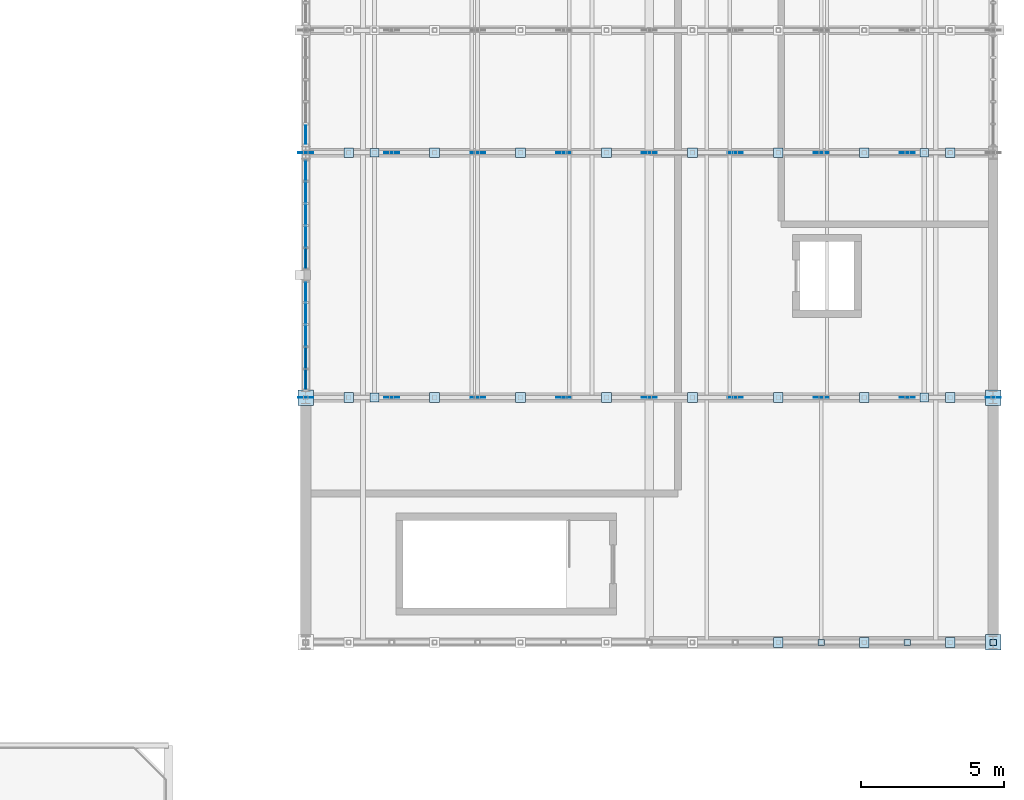
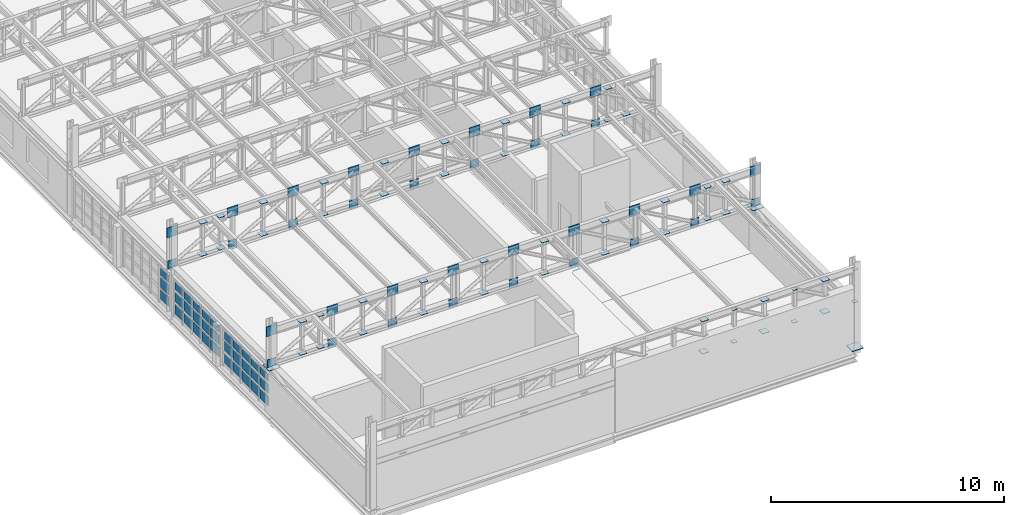
# One storey, part 105 of 128: 121 plates, 3 elements without a shape of their own.
"""IFC4 building model written with IfcOpenShell, lengths in metres."""

from ifc_helpers import new_model, si_unit, direction, frame, origin, origin_2d, place, context, subcontext, project, spatial, rectangle, extrude, material, layer, layer_set, type_object, element, aggregate, save


model = new_model("IFC4")

# Units and contexts
model_context = context("Model", 3, precision=1e-05, world=origin(), true_north=direction((0.0, 1.0)))
body_context = subcontext(model_context, "Body", "Model", "MODEL_VIEW")
ifc_project = project(units=[si_unit("LENGTHUNIT", "METRE"), si_unit("AREAUNIT", "SQUARE_METRE"), si_unit("VOLUMEUNIT", "CUBIC_METRE"), si_unit("PLANEANGLEUNIT", "RADIAN"), si_unit("MASSUNIT", "GRAM", prefix="KILO")], contexts=[model_context])

# Site, building, storey
site_placement = place(None, origin())
site = spatial("IfcSite", under=ifc_project, at=site_placement, CompositionType="ELEMENT")
building_placement = place(site_placement, origin())
building = spatial("IfcBuilding", under=site, at=building_placement, Name="Serraforn Aerial Cableway Station", CompositionType="ELEMENT")
storey_placement = place(building_placement, frame((0.0, 0.0, 9.0)))
storey = spatial("IfcBuildingStorey", under=building, at=storey_placement, Name="L02", CompositionType="ELEMENT", Elevation=9.0)

# Curtain wall, plates
ifc_material_1 = material(Name="Anodised bronze unitised curtain wall")
curtain_wall_type_1 = type_object("IfcCurtainWallType", Name="CW-SYS-23", PredefinedType="USERDEFINED", material=ifc_material_1)
curtain_wall_1_placement = place(storey_placement, origin())
curtain_wall_1 = element("IfcCurtainWall", 1, at=curtain_wall_1_placement, inside=storey, type_object=curtain_wall_type_1, Name="Unitised Curtain Wall CW-EG-L02-W2A", ObjectType="UNITISED CURTAIN WALL", PredefinedType="USERDEFINED")
ifc_material_2 = material(Name="Solar-control low-E double glazing", Category="glass")
ifc_layer_1 = layer(ifc_material_2, 0.02587890625)
ifc_layer_set_1 = layer_set([ifc_layer_1], Name="Solar-control low-E double glazing")
plate_type_1 = type_object("IfcPlateType", Name="CW-GLZ-1", PredefinedType="CURTAIN_PANEL", material=ifc_layer_set_1)
plate_1_placement = place(storey_placement, frame((144.0, 62.075927734375, 0.7939453125), z_axis=(0.0, 0.0, 1.0), x_axis=(1.0, 0.0, 0.0)))
plate_1 = element("IfcPlate", 2, at=plate_1_placement, type_object=plate_type_1, Name="Curtain Wall Panel CW-EG-L02-W2A-P1-2", PredefinedType="CURTAIN_PANEL", context=body_context, shape_type="SweptSolid", body=[
    extrude(rectangle(XDim=0.02587890625, YDim=0.685791015625, at=origin_2d()), origin(), (0.0, 0.0, 1.0), 0.482421875),
])
plate_2_placement = place(storey_placement, frame((144.0, 61.316650390625, 0.15771484375), z_axis=(0.0, 0.0, 1.0), x_axis=(1.0, 0.0, 0.0)))
plate_2 = element("IfcPlate", 3, at=plate_2_placement, type_object=plate_type_1, Name="Curtain Wall Panel CW-EG-L02-W2A-P2-1", PredefinedType="CURTAIN_PANEL", context=body_context, shape_type="SweptSolid", body=[
    extrude(rectangle(XDim=0.02587890625, YDim=0.7109375, at=origin_2d()), origin(), (0.0, 0.0, 1.0), 0.482421875),
])

# Curtain wall, plate
curtain_wall_type_2 = type_object("IfcCurtainWallType", Name="CW-SYS-24", PredefinedType="USERDEFINED", material=ifc_material_1)
curtain_wall_2_placement = place(storey_placement, origin())
curtain_wall_2 = element("IfcCurtainWall", 4, at=curtain_wall_2_placement, inside=storey, type_object=curtain_wall_type_2, Name="Unitised Curtain Wall CW-EG-L02-W2B", ObjectType="UNITISED CURTAIN WALL", PredefinedType="USERDEFINED")
plate_3_placement = place(storey_placement, frame((144.0, 57.8427734375, 0.15771484375), z_axis=(0.0, 0.0, 1.0), x_axis=(1.0, 0.0, 0.0)))
plate_3 = element("IfcPlate", 5, at=plate_3_placement, type_object=plate_type_1, Name="Curtain Wall Panel CW-EG-L02-W2B-P1-1", PredefinedType="CURTAIN_PANEL", context=body_context, shape_type="SweptSolid", body=[
    extrude(rectangle(XDim=0.02587890625, YDim=0.678466796875, at=origin_2d()), origin(), (0.0, 0.0, 1.0), 0.482421875),
])

curtain_wall_type_3 = type_object("IfcCurtainWallType", Name="CW-SYS-26", PredefinedType="USERDEFINED", material=ifc_material_1)
curtain_wall_3_placement = place(storey_placement, origin())
curtain_wall_3 = element("IfcCurtainWall", 6, at=curtain_wall_3_placement, inside=storey, type_object=curtain_wall_type_3, Name="Unitised Curtain Wall CW-EG-L02-W3B", ObjectType="UNITISED CURTAIN WALL", PredefinedType="USERDEFINED")
plate_4_placement = place(storey_placement, frame((144.0, 63.330078125, 1.414794921875), z_axis=(0.0, 0.0, 1.0), x_axis=(1.0, 0.0, 0.0)))
plate_4 = element("IfcPlate", 7, at=plate_4_placement, type_object=plate_type_1, Name="Curtain Wall Panel CW-EG-L02-W3B-P5-3", PredefinedType="CURTAIN_PANEL", context=body_context, shape_type="SweptSolid", body=[
    extrude(rectangle(XDim=0.02587890625, YDim=0.66845703125, at=origin_2d()), origin(), (0.0, 0.0, 1.0), 0.38525390625),
])

# Plate
ifc_layer_2 = layer(ifc_material_2, 0.028076171875)
ifc_layer_set_2 = layer_set([ifc_layer_2], Name="Solar-control low-E double glazing")
plate_type_2 = type_object("IfcPlateType", Name="CW-GLZ-2", PredefinedType="CURTAIN_PANEL", material=ifc_layer_set_2)
plate_5_placement = place(storey_placement, frame((144.0, 62.075927734375, 1.4375), z_axis=(0.0, 0.0, 1.0), x_axis=(1.0, 0.0, 0.0)))
plate_5 = element("IfcPlate", 8, at=plate_5_placement, type_object=plate_type_2, Name="Curtain Wall Panel CW-EG-L02-W2A-P1-3", PredefinedType="CURTAIN_PANEL", context=body_context, shape_type="SweptSolid", body=[
    extrude(rectangle(XDim=0.028076171875, YDim=0.685791015625, at=origin_2d()), origin(), (0.0, 0.0, 1.0), 0.375244140625),
])

plate_6_placement = place(storey_placement, frame((144.0, 61.316650390625, 0.80126953125), z_axis=(0.0, 0.0, 1.0), x_axis=(1.0, 0.0, 0.0)))
plate_6 = element("IfcPlate", 9, at=plate_6_placement, type_object=plate_type_2, Name="Curtain Wall Panel CW-EG-L02-W2A-P2-2", PredefinedType="CURTAIN_PANEL", context=body_context, shape_type="SweptSolid", body=[
    extrude(rectangle(XDim=0.028076171875, YDim=0.7109375, at=origin_2d()), origin(), (0.0, 0.0, 1.0), 0.50244140625),
])

plate_7_placement = place(storey_placement, frame((144.0, 60.542236328125, 0.165283203125), z_axis=(0.0, 0.0, 1.0), x_axis=(1.0, 0.0, 0.0)))
plate_7 = element("IfcPlate", 10, at=plate_7_placement, type_object=plate_type_2, Name="Curtain Wall Panel CW-EG-L02-W2A-P3-1", PredefinedType="CURTAIN_PANEL", context=body_context, shape_type="SweptSolid", body=[
    extrude(rectangle(XDim=0.028076171875, YDim=0.705810546875, at=origin_2d()), origin(), (0.0, 0.0, 1.0), 0.50244140625),
])

plate_8_placement = place(storey_placement, frame((144.0, 57.8427734375, 0.80126953125), z_axis=(0.0, 0.0, 1.0), x_axis=(1.0, 0.0, 0.0)))
plate_8 = element("IfcPlate", 11, at=plate_8_placement, type_object=plate_type_2, Name="Curtain Wall Panel CW-EG-L02-W2B-P1-2", PredefinedType="CURTAIN_PANEL", context=body_context, shape_type="SweptSolid", body=[
    extrude(rectangle(XDim=0.028076171875, YDim=0.678466796875, at=origin_2d()), origin(), (0.0, 0.0, 1.0), 0.50244140625),
])

plate_9_placement = place(storey_placement, frame((144.0, 57.084716796875, 0.165283203125), z_axis=(0.0, 0.0, 1.0), x_axis=(1.0, 0.0, 0.0)))
plate_9 = element("IfcPlate", 12, at=plate_9_placement, type_object=plate_type_2, Name="Curtain Wall Panel CW-EG-L02-W2B-P2-1", PredefinedType="CURTAIN_PANEL", context=body_context, shape_type="SweptSolid", body=[
    extrude(rectangle(XDim=0.028076171875, YDim=0.705810546875, at=origin_2d()), origin(), (0.0, 0.0, 1.0), 0.50244140625),
])

ifc_layer_3 = layer(ifc_material_2, 0.030029296875)
ifc_layer_set_3 = layer_set([ifc_layer_3], Name="Solar-control low-E double glazing")
plate_type_3 = type_object("IfcPlateType", Name="CW-GLZ-3", PredefinedType="CURTAIN_PANEL", material=ifc_layer_set_3)
plate_10_placement = place(storey_placement, frame((144.0, 61.316650390625, 1.40966796875), z_axis=(0.0, 0.0, 1.0), x_axis=(1.0, 0.0, 0.0)))
plate_10 = element("IfcPlate", 13, at=plate_10_placement, type_object=plate_type_3, Name="Curtain Wall Panel CW-EG-L02-W2A-P2-3", PredefinedType="CURTAIN_PANEL", context=body_context, shape_type="SweptSolid", body=[
    extrude(rectangle(XDim=0.030029296875, YDim=0.7109375, at=origin_2d()), origin(), (0.0, 0.0, 1.0), 0.397705078125),
])

plate_11_placement = place(storey_placement, frame((144.0, 60.542236328125, 0.77392578125), z_axis=(0.0, 0.0, 1.0), x_axis=(1.0, 0.0, 0.0)))
plate_11 = element("IfcPlate", 14, at=plate_11_placement, type_object=plate_type_3, Name="Curtain Wall Panel CW-EG-L02-W2A-P3-2", PredefinedType="CURTAIN_PANEL", context=body_context, shape_type="SweptSolid", body=[
    extrude(rectangle(XDim=0.030029296875, YDim=0.705810546875, at=origin_2d()), origin(), (0.0, 0.0, 1.0), 0.52490234375),
])

plate_12_placement = place(storey_placement, frame((144.0, 59.76171875, 0.137939453125), z_axis=(0.0, 0.0, 1.0), x_axis=(1.0, 0.0, 0.0)))
plate_12 = element("IfcPlate", 15, at=plate_12_placement, type_object=plate_type_3, Name="Curtain Wall Panel CW-EG-L02-W2A-P4-1", PredefinedType="CURTAIN_PANEL", context=body_context, shape_type="SweptSolid", body=[
    extrude(rectangle(XDim=0.030029296875, YDim=0.71337890625, at=origin_2d()), origin(), (0.0, 0.0, 1.0), 0.52490234375),
])

plate_13_placement = place(storey_placement, frame((144.0, 57.8427734375, 1.40966796875), z_axis=(0.0, 0.0, 1.0), x_axis=(1.0, 0.0, 0.0)))
plate_13 = element("IfcPlate", 16, at=plate_13_placement, type_object=plate_type_3, Name="Curtain Wall Panel CW-EG-L02-W2B-P1-3", PredefinedType="CURTAIN_PANEL", context=body_context, shape_type="SweptSolid", body=[
    extrude(rectangle(XDim=0.030029296875, YDim=0.678466796875, at=origin_2d()), origin(), (0.0, 0.0, 1.0), 0.397705078125),
])

plate_14_placement = place(storey_placement, frame((144.0, 57.084716796875, 0.77392578125), z_axis=(0.0, 0.0, 1.0), x_axis=(1.0, 0.0, 0.0)))
plate_14 = element("IfcPlate", 17, at=plate_14_placement, type_object=plate_type_3, Name="Curtain Wall Panel CW-EG-L02-W2B-P2-2", PredefinedType="CURTAIN_PANEL", context=body_context, shape_type="SweptSolid", body=[
    extrude(rectangle(XDim=0.030029296875, YDim=0.705810546875, at=origin_2d()), origin(), (0.0, 0.0, 1.0), 0.52490234375),
])

plate_15_placement = place(storey_placement, frame((144.0, 56.303955078125, 0.137939453125), z_axis=(0.0, 0.0, 1.0), x_axis=(1.0, 0.0, 0.0)))
plate_15 = element("IfcPlate", 18, at=plate_15_placement, type_object=plate_type_3, Name="Curtain Wall Panel CW-EG-L02-W2B-P3-1", PredefinedType="CURTAIN_PANEL", context=body_context, shape_type="SweptSolid", body=[
    extrude(rectangle(XDim=0.030029296875, YDim=0.71337890625, at=origin_2d()), origin(), (0.0, 0.0, 1.0), 0.52490234375),
])

ifc_layer_4 = layer(ifc_material_2, 0.031982421875)
ifc_layer_set_4 = layer_set([ifc_layer_4], Name="Solar-control low-E double glazing")
plate_type_4 = type_object("IfcPlateType", Name="CW-GLZ-4", PredefinedType="CURTAIN_PANEL", material=ifc_layer_set_4)
plate_16_placement = place(storey_placement, frame((144.0, 60.542236328125, 1.414794921875), z_axis=(0.0, 0.0, 1.0), x_axis=(1.0, 0.0, 0.0)))
plate_16 = element("IfcPlate", 19, at=plate_16_placement, type_object=plate_type_4, Name="Curtain Wall Panel CW-EG-L02-W2A-P3-3", PredefinedType="CURTAIN_PANEL", context=body_context, shape_type="SweptSolid", body=[
    extrude(rectangle(XDim=0.031982421875, YDim=0.705810546875, at=origin_2d()), origin(), (0.0, 0.0, 1.0), 0.38525390625),
])

plate_17_placement = place(storey_placement, frame((144.0, 59.76171875, 0.77880859375), z_axis=(0.0, 0.0, 1.0), x_axis=(1.0, 0.0, 0.0)))
plate_17 = element("IfcPlate", 20, at=plate_17_placement, type_object=plate_type_4, Name="Curtain Wall Panel CW-EG-L02-W2A-P4-2", PredefinedType="CURTAIN_PANEL", context=body_context, shape_type="SweptSolid", body=[
    extrude(rectangle(XDim=0.031982421875, YDim=0.71337890625, at=origin_2d()), origin(), (0.0, 0.0, 1.0), 0.512451171875),
])

plate_18_placement = place(storey_placement, frame((144.0, 59.00830078125, 0.142578125), z_axis=(0.0, 0.0, 1.0), x_axis=(1.0, 0.0, 0.0)))
plate_18 = element("IfcPlate", 21, at=plate_18_placement, type_object=plate_type_4, Name="Curtain Wall Panel CW-EG-L02-W2A-P5-1", PredefinedType="CURTAIN_PANEL", context=body_context, shape_type="SweptSolid", body=[
    extrude(rectangle(XDim=0.031982421875, YDim=0.69091796875, at=origin_2d()), origin(), (0.0, 0.0, 1.0), 0.512451171875),
])

plate_19_placement = place(storey_placement, frame((144.0, 57.084716796875, 1.414794921875), z_axis=(0.0, 0.0, 1.0), x_axis=(1.0, 0.0, 0.0)))
plate_19 = element("IfcPlate", 22, at=plate_19_placement, type_object=plate_type_4, Name="Curtain Wall Panel CW-EG-L02-W2B-P2-3", PredefinedType="CURTAIN_PANEL", context=body_context, shape_type="SweptSolid", body=[
    extrude(rectangle(XDim=0.031982421875, YDim=0.705810546875, at=origin_2d()), origin(), (0.0, 0.0, 1.0), 0.38525390625),
])

plate_20_placement = place(storey_placement, frame((144.0, 56.303955078125, 0.77880859375), z_axis=(0.0, 0.0, 1.0), x_axis=(1.0, 0.0, 0.0)))
plate_20 = element("IfcPlate", 23, at=plate_20_placement, type_object=plate_type_4, Name="Curtain Wall Panel CW-EG-L02-W2B-P3-2", PredefinedType="CURTAIN_PANEL", context=body_context, shape_type="SweptSolid", body=[
    extrude(rectangle(XDim=0.031982421875, YDim=0.71337890625, at=origin_2d()), origin(), (0.0, 0.0, 1.0), 0.512451171875),
])

plate_21_placement = place(storey_placement, frame((144.0, 55.535888671875, 0.142578125), z_axis=(0.0, 0.0, 1.0), x_axis=(1.0, 0.0, 0.0)))
plate_21 = element("IfcPlate", 24, at=plate_21_placement, type_object=plate_type_4, Name="Curtain Wall Panel CW-EG-L02-W2B-P4-1", PredefinedType="CURTAIN_PANEL", context=body_context, shape_type="SweptSolid", body=[
    extrude(rectangle(XDim=0.031982421875, YDim=0.720947265625, at=origin_2d()), origin(), (0.0, 0.0, 1.0), 0.512451171875),
])

ifc_layer_5 = layer(ifc_material_2, 0.033935546875)
ifc_layer_set_5 = layer_set([ifc_layer_5], Name="Solar-control low-E double glazing")
plate_type_5 = type_object("IfcPlateType", Name="CW-GLZ-5", PredefinedType="CURTAIN_PANEL", material=ifc_layer_set_5)
plate_22_placement = place(storey_placement, frame((144.0, 59.76171875, 1.42236328125), z_axis=(0.0, 0.0, 1.0), x_axis=(1.0, 0.0, 0.0)))
plate_22 = element("IfcPlate", 25, at=plate_22_placement, type_object=plate_type_5, Name="Curtain Wall Panel CW-EG-L02-W2A-P4-3", PredefinedType="CURTAIN_PANEL", context=body_context, shape_type="SweptSolid", body=[
    extrude(rectangle(XDim=0.033935546875, YDim=0.71337890625, at=origin_2d()), origin(), (0.0, 0.0, 1.0), 0.370361328125),
])

plate_23_placement = place(storey_placement, frame((144.0, 59.00830078125, 0.786376953125), z_axis=(0.0, 0.0, 1.0), x_axis=(1.0, 0.0, 0.0)))
plate_23 = element("IfcPlate", 26, at=plate_23_placement, type_object=plate_type_5, Name="Curtain Wall Panel CW-EG-L02-W2A-P5-2", PredefinedType="CURTAIN_PANEL", context=body_context, shape_type="SweptSolid", body=[
    extrude(rectangle(XDim=0.033935546875, YDim=0.69091796875, at=origin_2d()), origin(), (0.0, 0.0, 1.0), 0.49755859375),
])

plate_24_placement = place(storey_placement, frame((144.0, 56.303955078125, 1.42236328125), z_axis=(0.0, 0.0, 1.0), x_axis=(1.0, 0.0, 0.0)))
plate_24 = element("IfcPlate", 27, at=plate_24_placement, type_object=plate_type_5, Name="Curtain Wall Panel CW-EG-L02-W2B-P3-3", PredefinedType="CURTAIN_PANEL", context=body_context, shape_type="SweptSolid", body=[
    extrude(rectangle(XDim=0.033935546875, YDim=0.71337890625, at=origin_2d()), origin(), (0.0, 0.0, 1.0), 0.370361328125),
])

plate_25_placement = place(storey_placement, frame((144.0, 55.535888671875, 0.786376953125), z_axis=(0.0, 0.0, 1.0), x_axis=(1.0, 0.0, 0.0)))
plate_25 = element("IfcPlate", 28, at=plate_25_placement, type_object=plate_type_5, Name="Curtain Wall Panel CW-EG-L02-W2B-P4-2", PredefinedType="CURTAIN_PANEL", context=body_context, shape_type="SweptSolid", body=[
    extrude(rectangle(XDim=0.033935546875, YDim=0.720947265625, at=origin_2d()), origin(), (0.0, 0.0, 1.0), 0.49755859375),
])

plate_26_placement = place(storey_placement, frame((144.0, 54.777587890625, 0.150390625), z_axis=(0.0, 0.0, 1.0), x_axis=(1.0, 0.0, 0.0)))
plate_26 = element("IfcPlate", 29, at=plate_26_placement, type_object=plate_type_5, Name="Curtain Wall Panel CW-EG-L02-W2B-P5-1", PredefinedType="CURTAIN_PANEL", context=body_context, shape_type="SweptSolid", body=[
    extrude(rectangle(XDim=0.033935546875, YDim=0.683349609375, at=origin_2d()), origin(), (0.0, 0.0, 1.0), 0.49755859375),
])

ifc_layer_6 = layer(ifc_material_2, 0.035888671875)
ifc_layer_set_6 = layer_set([ifc_layer_6], Name="Solar-control low-E double glazing")
plate_type_6 = type_object("IfcPlateType", Name="CW-GLZ-6", PredefinedType="CURTAIN_PANEL", material=ifc_layer_set_6)
plate_27_placement = place(storey_placement, frame((144.0, 59.00830078125, 1.4296875), z_axis=(0.0, 0.0, 1.0), x_axis=(1.0, 0.0, 0.0)))
plate_27 = element("IfcPlate", 30, at=plate_27_placement, type_object=plate_type_6, Name="Curtain Wall Panel CW-EG-L02-W2A-P5-3", PredefinedType="CURTAIN_PANEL", context=body_context, shape_type="SweptSolid", body=[
    extrude(rectangle(XDim=0.035888671875, YDim=0.69091796875, at=origin_2d()), origin(), (0.0, 0.0, 1.0), 0.355224609375),
])

plate_28_placement = place(storey_placement, frame((144.0, 55.535888671875, 1.4296875), z_axis=(0.0, 0.0, 1.0), x_axis=(1.0, 0.0, 0.0)))
plate_28 = element("IfcPlate", 31, at=plate_28_placement, type_object=plate_type_6, Name="Curtain Wall Panel CW-EG-L02-W2B-P4-3", PredefinedType="CURTAIN_PANEL", context=body_context, shape_type="SweptSolid", body=[
    extrude(rectangle(XDim=0.035888671875, YDim=0.720947265625, at=origin_2d()), origin(), (0.0, 0.0, 1.0), 0.355224609375),
])

plate_29_placement = place(storey_placement, frame((144.0, 54.777587890625, 0.7939453125), z_axis=(0.0, 0.0, 1.0), x_axis=(1.0, 0.0, 0.0)))
plate_29 = element("IfcPlate", 32, at=plate_29_placement, type_object=plate_type_6, Name="Curtain Wall Panel CW-EG-L02-W2B-P5-2", PredefinedType="CURTAIN_PANEL", context=body_context, shape_type="SweptSolid", body=[
    extrude(rectangle(XDim=0.035888671875, YDim=0.683349609375, at=origin_2d()), origin(), (0.0, 0.0, 1.0), 0.482421875),
])

ifc_layer_7 = layer(ifc_material_2, 0.029052734375)
ifc_layer_set_7 = layer_set([ifc_layer_7], Name="Solar-control low-E double glazing")
plate_type_7 = type_object("IfcPlateType", Name="CW-GLZ-7", PredefinedType="CURTAIN_PANEL", material=ifc_layer_set_7)
plate_30_placement = place(storey_placement, frame((144.0, 54.777587890625, 1.4375), z_axis=(0.0, 0.0, 1.0), x_axis=(1.0, 0.0, 0.0)))
plate_30 = element("IfcPlate", 33, at=plate_30_placement, type_object=plate_type_7, Name="Curtain Wall Panel CW-EG-L02-W2B-P5-3", PredefinedType="CURTAIN_PANEL", context=body_context, shape_type="SweptSolid", body=[
    extrude(rectangle(XDim=0.029052734375, YDim=0.683349609375, at=origin_2d()), origin(), (0.0, 0.0, 1.0), 0.375244140625),
])

aggregate(curtain_wall_2, [plate_3, plate_8, plate_13, plate_9, plate_14, plate_19, plate_15, plate_20, plate_24, plate_21, plate_25, plate_28, plate_26, plate_29, plate_30])

plate_31_placement = place(storey_placement, frame((144.0, 63.330078125, 0.165283203125), z_axis=(0.0, 0.0, 1.0), x_axis=(1.0, 0.0, 0.0)))
plate_31 = element("IfcPlate", 34, at=plate_31_placement, type_object=plate_type_7, Name="Curtain Wall Panel CW-EG-L02-W3B-P5-1", PredefinedType="CURTAIN_PANEL", context=body_context, shape_type="SweptSolid", body=[
    extrude(rectangle(XDim=0.029052734375, YDim=0.66845703125, at=origin_2d()), origin(), (0.0, 0.0, 1.0), 0.50244140625),
])

ifc_layer_8 = layer(ifc_material_2, 0.031005859375)
ifc_layer_set_8 = layer_set([ifc_layer_8], Name="Solar-control low-E double glazing")
plate_type_8 = type_object("IfcPlateType", Name="CW-GLZ-8", PredefinedType="CURTAIN_PANEL", material=ifc_layer_set_8)
plate_32_placement = place(storey_placement, frame((144.0, 62.075927734375, 0.150390625), z_axis=(0.0, 0.0, 1.0), x_axis=(1.0, 0.0, 0.0)))
plate_32 = element("IfcPlate", 35, at=plate_32_placement, type_object=plate_type_8, Name="Curtain Wall Panel CW-EG-L02-W2A-P1-1", PredefinedType="CURTAIN_PANEL", context=body_context, shape_type="SweptSolid", body=[
    extrude(rectangle(XDim=0.031005859375, YDim=0.685791015625, at=origin_2d()), origin(), (0.0, 0.0, 1.0), 0.49755859375),
])

aggregate(curtain_wall_1, [plate_32, plate_1, plate_5, plate_2, plate_6, plate_10, plate_7, plate_11, plate_16, plate_12, plate_17, plate_22, plate_18, plate_23, plate_27])

plate_33_placement = place(storey_placement, frame((144.0, 63.330078125, 0.77392578125), z_axis=(0.0, 0.0, 1.0), x_axis=(1.0, 0.0, 0.0)))
plate_33 = element("IfcPlate", 36, at=plate_33_placement, type_object=plate_type_8, Name="Curtain Wall Panel CW-EG-L02-W3B-P5-2", PredefinedType="CURTAIN_PANEL", context=body_context, shape_type="SweptSolid", body=[
    extrude(rectangle(XDim=0.031005859375, YDim=0.66845703125, at=origin_2d()), origin(), (0.0, 0.0, 1.0), 0.52490234375),
])

aggregate(curtain_wall_3, [plate_31, plate_33, plate_4])

# Plates
ifc_material_3 = material(Name="Steel S355J2", Category="steel")
ifc_layer_9 = layer(ifc_material_3, 0.01611328125)
ifc_layer_set_9 = layer_set([ifc_layer_9], Name="Steel S355J2")
plate_type_9 = type_object("IfcPlateType", Name="PLT-CAP-16", PredefinedType="USERDEFINED", material=ifc_layer_set_9)
for number, where, z_axis, x_axis, name in (
    (37, (146.39990234375, 54.14990234375, 2.592041015625), (0.0, 0.0, 1.0), (1.0, 0.0, 0.0), "Suspension Post Bottom Cap 001"),
    (38, (146.39990234375, 54.14990234375, 4.281982421875), (0.0, 0.0, 1.0), (1.0, 0.0, 0.0), "Suspension Post Top Cap 001"),
    (39, (165.60009765625, 54.14990234375, 2.592041015625), (0.0, 0.0, 1.0), (1.0, 0.0, 0.0), "Suspension Post Bottom Cap 006"),
    (40, (165.60009765625, 54.14990234375, 4.281982421875), (0.0, 0.0, 1.0), (1.0, 0.0, 0.0), "Suspension Post Top Cap 006"),
    (41, (146.39990234375, 62.699951171875, 2.592041015625), (0.0, 0.0, 1.0), (1.0, 0.0, 0.0), "Suspension Post Bottom Cap 007"),
    (42, (146.39990234375, 62.699951171875, 4.281982421875), (0.0, 0.0, 1.0), (1.0, 0.0, 0.0), "Suspension Post Top Cap 007"),
    (43, (165.60009765625, 62.699951171875, 2.592041015625), (0.0, 0.0, 1.0), (1.0, 0.0, 0.0), "Suspension Post Bottom Cap 012"),
    (44, (165.60009765625, 62.699951171875, 4.281982421875), (0.0, 0.0, 1.0), (1.0, 0.0, 0.0), "Suspension Post Top Cap 012"),
):
    element("IfcPlate", number, at=place(storey_placement, frame(where, z_axis=z_axis, x_axis=x_axis)), inside=storey, type_object=plate_type_9, Name=name, ObjectType="CAP PLATE", PredefinedType="USERDEFINED", context=body_context, shape_type="SweptSolid", body=[
        extrude(rectangle(XDim=0.300048828125, YDim=0.300048828125, at=origin_2d()), origin(), (0.0, 0.0, 1.0), 0.01611328125),
    ])
ifc_layer_10 = layer(ifc_material_3, 0.01611328125)
ifc_layer_set_10 = layer_set([ifc_layer_10], Name="Steel S355J2")
plate_type_10 = type_object("IfcPlateType", Name="PLT-CAP-16B", PredefinedType="USERDEFINED", material=ifc_layer_set_10)
for number, where, z_axis, x_axis, name in (
    (45, (162.0, 45.60009765625, 4.2919921875), (0.0, 0.0, 1.0), (1.0, 0.0, 0.0), "Garage Gable Post Top Cap GT-01-7"),
    (46, (162.0, 45.60009765625, 2.58203125), (0.0, 0.0, 1.0), (1.0, 0.0, 0.0), "Garage Gable Post Bottom Cap GT-01-7"),
    (47, (165.0, 45.60009765625, 4.2919921875), (0.0, 0.0, 1.0), (1.0, 0.0, 0.0), "Garage Gable Post Top Cap GT-01-8"),
    (48, (165.0, 45.60009765625, 2.58203125), (0.0, 0.0, 1.0), (1.0, 0.0, 0.0), "Garage Gable Post Bottom Cap GT-01-8"),
    (49, (168.0, 45.60009765625, 4.2919921875), (0.0, 0.0, 1.0), (1.0, 0.0, 0.0), "Garage Gable Post Top Cap GT-01-9"),
    (50, (168.0, 45.60009765625, 2.58203125), (0.0, 0.0, 1.0), (1.0, 0.0, 0.0), "Garage Gable Post Bottom Cap GT-01-9"),
):
    element("IfcPlate", number, at=place(storey_placement, frame(where, z_axis=z_axis, x_axis=x_axis)), inside=storey, type_object=plate_type_10, Name=name, ObjectType="CAP PLATE", PredefinedType="USERDEFINED", context=body_context, shape_type="SweptSolid", body=[
        extrude(rectangle(XDim=0.219970703125, YDim=0.219970703125, at=origin_2d()), origin(), (0.0, 0.0, 1.0), 0.01611328125),
    ])
ifc_layer_11 = layer(ifc_material_3, 0.01806640625)
ifc_layer_set_11 = layer_set([ifc_layer_11], Name="Steel S355J2")
plate_type_11 = type_object("IfcPlateType", Name="PLT-CAP-18", PredefinedType="USERDEFINED", material=ifc_layer_set_11)
for number, where, z_axis, x_axis, name in (
    (51, (160.5, 45.60009765625, 2.591064453125), (0.0, 0.0, 1.0), (1.0, 0.0, 0.0), "Sub-Vertical Strut Bottom Cap GT-01-6"),
    (52, (160.5, 45.60009765625, 4.281005859375), (0.0, 0.0, 1.0), (1.0, 0.0, 0.0), "Sub-Vertical Strut Top Cap GT-01-6"),
    (53, (163.5, 45.60009765625, 2.591064453125), (0.0, 0.0, 1.0), (1.0, 0.0, 0.0), "Sub-Vertical Strut Bottom Cap GT-01-7"),
    (54, (163.5, 45.60009765625, 4.281005859375), (0.0, 0.0, 1.0), (1.0, 0.0, 0.0), "Sub-Vertical Strut Top Cap GT-01-7"),
    (55, (166.5, 45.60009765625, 2.591064453125), (0.0, 0.0, 1.0), (1.0, 0.0, 0.0), "Sub-Vertical Strut Bottom Cap GT-01-8"),
    (56, (166.5, 45.60009765625, 4.281005859375), (0.0, 0.0, 1.0), (1.0, 0.0, 0.0), "Sub-Vertical Strut Top Cap GT-01-8"),
    (57, (145.5, 54.14990234375, 2.591064453125), (0.0, 0.0, 1.0), (1.0, 0.0, 0.0), "Sub-Vertical Strut Bottom Cap GT-02-1"),
    (58, (145.5, 54.14990234375, 4.281005859375), (0.0, 0.0, 1.0), (1.0, 0.0, 0.0), "Sub-Vertical Strut Top Cap GT-02-1"),
    (59, (148.5, 54.14990234375, 2.591064453125), (0.0, 0.0, 1.0), (1.0, 0.0, 0.0), "Sub-Vertical Strut Bottom Cap GT-02-2"),
    (60, (148.5, 54.14990234375, 4.281005859375), (0.0, 0.0, 1.0), (1.0, 0.0, 0.0), "Sub-Vertical Strut Top Cap GT-02-2"),
    (61, (151.5, 54.14990234375, 2.591064453125), (0.0, 0.0, 1.0), (1.0, 0.0, 0.0), "Sub-Vertical Strut Bottom Cap GT-02-3"),
    (62, (151.5, 54.14990234375, 4.281005859375), (0.0, 0.0, 1.0), (1.0, 0.0, 0.0), "Sub-Vertical Strut Top Cap GT-02-3"),
    (63, (154.5, 54.14990234375, 2.591064453125), (0.0, 0.0, 1.0), (1.0, 0.0, 0.0), "Sub-Vertical Strut Bottom Cap GT-02-4"),
    (64, (154.5, 54.14990234375, 4.281005859375), (0.0, 0.0, 1.0), (1.0, 0.0, 0.0), "Sub-Vertical Strut Top Cap GT-02-4"),
    (65, (157.5, 54.14990234375, 2.591064453125), (0.0, 0.0, 1.0), (1.0, 0.0, 0.0), "Sub-Vertical Strut Bottom Cap GT-02-5"),
    (66, (157.5, 54.14990234375, 4.281005859375), (0.0, 0.0, 1.0), (1.0, 0.0, 0.0), "Sub-Vertical Strut Top Cap GT-02-5"),
    (67, (160.5, 54.14990234375, 2.591064453125), (0.0, 0.0, 1.0), (1.0, 0.0, 0.0), "Sub-Vertical Strut Bottom Cap GT-02-6"),
    (68, (160.5, 54.14990234375, 4.281005859375), (0.0, 0.0, 1.0), (1.0, 0.0, 0.0), "Sub-Vertical Strut Top Cap GT-02-6"),
    (69, (163.5, 54.14990234375, 2.591064453125), (0.0, 0.0, 1.0), (1.0, 0.0, 0.0), "Sub-Vertical Strut Bottom Cap GT-02-7"),
    (70, (163.5, 54.14990234375, 4.281005859375), (0.0, 0.0, 1.0), (1.0, 0.0, 0.0), "Sub-Vertical Strut Top Cap GT-02-7"),
    (71, (166.5, 54.14990234375, 2.591064453125), (0.0, 0.0, 1.0), (1.0, 0.0, 0.0), "Sub-Vertical Strut Bottom Cap GT-02-8"),
    (72, (166.5, 54.14990234375, 4.281005859375), (0.0, 0.0, 1.0), (1.0, 0.0, 0.0), "Sub-Vertical Strut Top Cap GT-02-8"),
    (73, (145.5, 62.699951171875, 2.591064453125), (0.0, 0.0, 1.0), (1.0, 0.0, 0.0), "Sub-Vertical Strut Bottom Cap GT-03-1"),
    (74, (145.5, 62.699951171875, 4.281005859375), (0.0, 0.0, 1.0), (1.0, 0.0, 0.0), "Sub-Vertical Strut Top Cap GT-03-1"),
    (75, (148.5, 62.699951171875, 2.591064453125), (0.0, 0.0, 1.0), (1.0, 0.0, 0.0), "Sub-Vertical Strut Bottom Cap GT-03-2"),
    (76, (148.5, 62.699951171875, 4.281005859375), (0.0, 0.0, 1.0), (1.0, 0.0, 0.0), "Sub-Vertical Strut Top Cap GT-03-2"),
    (77, (151.5, 62.699951171875, 2.591064453125), (0.0, 0.0, 1.0), (1.0, 0.0, 0.0), "Sub-Vertical Strut Bottom Cap GT-03-3"),
    (78, (151.5, 62.699951171875, 4.281005859375), (0.0, 0.0, 1.0), (1.0, 0.0, 0.0), "Sub-Vertical Strut Top Cap GT-03-3"),
    (79, (154.5, 62.699951171875, 2.591064453125), (0.0, 0.0, 1.0), (1.0, 0.0, 0.0), "Sub-Vertical Strut Bottom Cap GT-03-4"),
    (80, (154.5, 62.699951171875, 4.281005859375), (0.0, 0.0, 1.0), (1.0, 0.0, 0.0), "Sub-Vertical Strut Top Cap GT-03-4"),
    (81, (157.5, 62.699951171875, 2.591064453125), (0.0, 0.0, 1.0), (1.0, 0.0, 0.0), "Sub-Vertical Strut Bottom Cap GT-03-5"),
    (82, (157.5, 62.699951171875, 4.281005859375), (0.0, 0.0, 1.0), (1.0, 0.0, 0.0), "Sub-Vertical Strut Top Cap GT-03-5"),
    (83, (160.5, 62.699951171875, 2.591064453125), (0.0, 0.0, 1.0), (1.0, 0.0, 0.0), "Sub-Vertical Strut Bottom Cap GT-03-6"),
    (84, (160.5, 62.699951171875, 4.281005859375), (0.0, 0.0, 1.0), (1.0, 0.0, 0.0), "Sub-Vertical Strut Top Cap GT-03-6"),
    (85, (163.5, 62.699951171875, 2.591064453125), (0.0, 0.0, 1.0), (1.0, 0.0, 0.0), "Sub-Vertical Strut Bottom Cap GT-03-7"),
    (86, (163.5, 62.699951171875, 4.281005859375), (0.0, 0.0, 1.0), (1.0, 0.0, 0.0), "Sub-Vertical Strut Top Cap GT-03-7"),
    (87, (166.5, 62.699951171875, 2.591064453125), (0.0, 0.0, 1.0), (1.0, 0.0, 0.0), "Sub-Vertical Strut Bottom Cap GT-03-8"),
):
    element("IfcPlate", number, at=place(storey_placement, frame(where, z_axis=z_axis, x_axis=x_axis)), inside=storey, type_object=plate_type_11, Name=name, ObjectType="CAP PLATE", PredefinedType="USERDEFINED", context=body_context, shape_type="SweptSolid", body=[
        extrude(rectangle(XDim=0.340087890625, YDim=0.340087890625, at=origin_2d()), origin(), (0.0, 0.0, 1.0), 0.01806640625),
    ])
ifc_layer_12 = layer(ifc_material_3, 0.02197265625)
ifc_layer_set_12 = layer_set([ifc_layer_12], Name="Steel S355J2")
plate_type_12 = type_object("IfcPlateType", Name="PLT-CAP-22", PredefinedType="USERDEFINED", material=ifc_layer_set_12)
for number, where, z_axis, x_axis, name in (
    (88, (144.0, 54.14990234375, 2.39013671875), (0.0, 0.0, 1.0), (1.0, 0.0, 0.0), "Garage Truss Bottom Node GT-02-1"),
    (89, (147.0, 54.14990234375, 2.39013671875), (0.0, 0.0, 1.0), (1.0, 0.0, 0.0), "Garage Truss Bottom Node GT-02-2"),
    (90, (150.0, 54.14990234375, 2.39013671875), (0.0, 0.0, 1.0), (1.0, 0.0, 0.0), "Garage Truss Bottom Node GT-02-3"),
    (91, (153.0, 54.14990234375, 2.39013671875), (0.0, 0.0, 1.0), (1.0, 0.0, 0.0), "Garage Truss Bottom Node GT-02-4"),
    (92, (156.0, 54.14990234375, 2.39013671875), (0.0, 0.0, 1.0), (1.0, 0.0, 0.0), "Garage Truss Bottom Node GT-02-5"),
    (93, (159.0, 54.14990234375, 2.39013671875), (0.0, 0.0, 1.0), (1.0, 0.0, 0.0), "Garage Truss Bottom Node GT-02-6"),
    (94, (162.0, 54.14990234375, 2.39013671875), (0.0, 0.0, 1.0), (1.0, 0.0, 0.0), "Garage Truss Bottom Node GT-02-7"),
    (95, (165.0, 54.14990234375, 2.39013671875), (0.0, 0.0, 1.0), (1.0, 0.0, 0.0), "Garage Truss Bottom Node GT-02-8"),
    (96, (168.0, 54.14990234375, 2.39013671875), (0.0, 0.0, 1.0), (1.0, 0.0, 0.0), "Garage Truss Bottom Node GT-02-9"),
    (97, (144.0, 62.699951171875, 2.39013671875), (0.0, 0.0, 1.0), (1.0, 0.0, 0.0), "Garage Truss Bottom Node GT-03-1"),
    (98, (147.0, 62.699951171875, 2.39013671875), (0.0, 0.0, 1.0), (1.0, 0.0, 0.0), "Garage Truss Bottom Node GT-03-2"),
    (99, (150.0, 62.699951171875, 2.39013671875), (0.0, 0.0, 1.0), (1.0, 0.0, 0.0), "Garage Truss Bottom Node GT-03-3"),
    (100, (153.0, 62.699951171875, 2.39013671875), (0.0, 0.0, 1.0), (1.0, 0.0, 0.0), "Garage Truss Bottom Node GT-03-4"),
    (101, (156.0, 62.699951171875, 2.39013671875), (0.0, 0.0, 1.0), (1.0, 0.0, 0.0), "Garage Truss Bottom Node GT-03-5"),
    (102, (159.0, 62.699951171875, 2.39013671875), (0.0, 0.0, 1.0), (1.0, 0.0, 0.0), "Garage Truss Bottom Node GT-03-6"),
    (103, (162.0, 62.699951171875, 2.39013671875), (0.0, 0.0, 1.0), (1.0, 0.0, 0.0), "Garage Truss Bottom Node GT-03-7"),
    (104, (165.0, 62.699951171875, 2.39013671875), (0.0, 0.0, 1.0), (1.0, 0.0, 0.0), "Garage Truss Bottom Node GT-03-8"),
):
    element("IfcPlate", number, at=place(storey_placement, frame(where, z_axis=z_axis, x_axis=x_axis)), inside=storey, type_object=plate_type_12, Name=name, ObjectType="CAP PLATE", PredefinedType="USERDEFINED", context=body_context, shape_type="SweptSolid", body=[
        extrude(rectangle(XDim=0.419921875, YDim=0.02197265625, at=origin_2d()), origin(), (0.0, 0.0, 1.0), 0.419921875),
    ])
ifc_layer_13 = layer(ifc_material_3, 0.031982421875)
ifc_layer_set_13 = layer_set([ifc_layer_13], Name="Steel S355J2")
plate_type_13 = type_object("IfcPlateType", Name="PLT-CAP-32", PredefinedType="USERDEFINED", material=ifc_layer_set_13)
for number, where, z_axis, x_axis, name in (
    (105, (144.0, 54.14990234375, 2.3837890625), (0.0, 0.0, 1.0), (1.0, 0.0, 0.0), "Wind Brace Cap Plate 5-B"),
    (106, (168.0, 45.60009765625, 0.18408203125), (0.0, 0.0, 1.0), (1.0, 0.0, 0.0), "Wind Brace Cap Plate 6-A"),
    (107, (168.0, 54.14990234375, 2.3837890625), (0.0, 0.0, 1.0), (1.0, 0.0, 0.0), "Wind Brace Cap Plate 6-B"),
):
    element("IfcPlate", number, at=place(storey_placement, frame(where, z_axis=z_axis, x_axis=x_axis)), inside=storey, type_object=plate_type_13, Name=name, ObjectType="CAP PLATE", PredefinedType="USERDEFINED", context=body_context, shape_type="SweptSolid", body=[
        extrude(rectangle(XDim=0.5400390625, YDim=0.5400390625, at=origin_2d()), origin(), (0.0, 0.0, 1.0), 0.031982421875),
    ])
ifc_layer_14 = layer(ifc_material_3, 0.02587890625)
ifc_layer_set_14 = layer_set([ifc_layer_14], Name="Steel S355J2")
plate_type_14 = type_object("IfcPlateType", Name="PLT-GUS-26", PredefinedType="USERDEFINED", material=ifc_layer_set_14)
for number, where, z_axis, x_axis, name in (
    (108, (144.0, 54.14990234375, 4.030029296875), (0.0, 0.0, 1.0), (1.0, 0.0, 0.0), "Garage Truss Top Node GT-02-1"),
    (109, (147.0, 54.14990234375, 4.030029296875), (0.0, 0.0, 1.0), (1.0, 0.0, 0.0), "Garage Truss Top Node GT-02-2"),
    (110, (150.0, 54.14990234375, 4.030029296875), (0.0, 0.0, 1.0), (1.0, 0.0, 0.0), "Garage Truss Top Node GT-02-3"),
    (111, (153.0, 54.14990234375, 4.030029296875), (0.0, 0.0, 1.0), (1.0, 0.0, 0.0), "Garage Truss Top Node GT-02-4"),
    (112, (156.0, 54.14990234375, 4.030029296875), (0.0, 0.0, 1.0), (1.0, 0.0, 0.0), "Garage Truss Top Node GT-02-5"),
    (113, (159.0, 54.14990234375, 4.030029296875), (0.0, 0.0, 1.0), (1.0, 0.0, 0.0), "Garage Truss Top Node GT-02-6"),
    (114, (162.0, 54.14990234375, 4.030029296875), (0.0, 0.0, 1.0), (1.0, 0.0, 0.0), "Garage Truss Top Node GT-02-7"),
    (115, (165.0, 54.14990234375, 4.030029296875), (0.0, 0.0, 1.0), (1.0, 0.0, 0.0), "Garage Truss Top Node GT-02-8"),
    (116, (168.0, 54.14990234375, 4.030029296875), (0.0, 0.0, 1.0), (1.0, 0.0, 0.0), "Garage Truss Top Node GT-02-9"),
    (117, (144.0, 62.699951171875, 4.030029296875), (0.0, 0.0, 1.0), (1.0, 0.0, 0.0), "Garage Truss Top Node GT-03-1"),
    (118, (147.0, 62.699951171875, 4.030029296875), (0.0, 0.0, 1.0), (1.0, 0.0, 0.0), "Garage Truss Top Node GT-03-2"),
    (119, (150.0, 62.699951171875, 4.030029296875), (0.0, 0.0, 1.0), (1.0, 0.0, 0.0), "Garage Truss Top Node GT-03-3"),
    (120, (153.0, 62.699951171875, 4.030029296875), (0.0, 0.0, 1.0), (1.0, 0.0, 0.0), "Garage Truss Top Node GT-03-4"),
    (121, (156.0, 62.699951171875, 4.030029296875), (0.0, 0.0, 1.0), (1.0, 0.0, 0.0), "Garage Truss Top Node GT-03-5"),
    (122, (159.0, 62.699951171875, 4.030029296875), (0.0, 0.0, 1.0), (1.0, 0.0, 0.0), "Garage Truss Top Node GT-03-6"),
    (123, (162.0, 62.699951171875, 4.030029296875), (0.0, 0.0, 1.0), (1.0, 0.0, 0.0), "Garage Truss Top Node GT-03-7"),
    (124, (165.0, 62.699951171875, 4.030029296875), (0.0, 0.0, 1.0), (1.0, 0.0, 0.0), "Garage Truss Top Node GT-03-8"),
):
    element("IfcPlate", number, at=place(storey_placement, frame(where, z_axis=z_axis, x_axis=x_axis)), inside=storey, type_object=plate_type_14, Name=name, ObjectType="GUSSET PLATE", PredefinedType="USERDEFINED", context=body_context, shape_type="SweptSolid", body=[
        extrude(rectangle(XDim=0.52001953125, YDim=0.02587890625, at=origin_2d()), origin(), (0.0, 0.0, 1.0), 0.52001953125),
    ])

save(model, "model.ifc")
